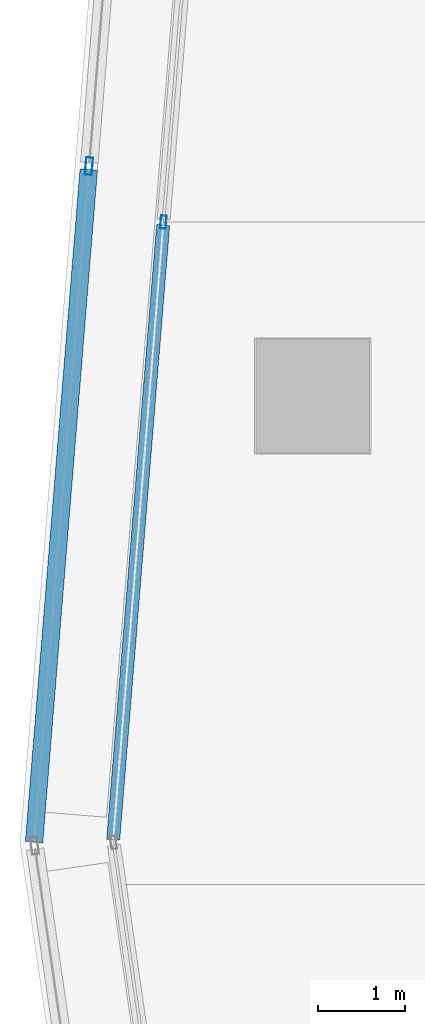
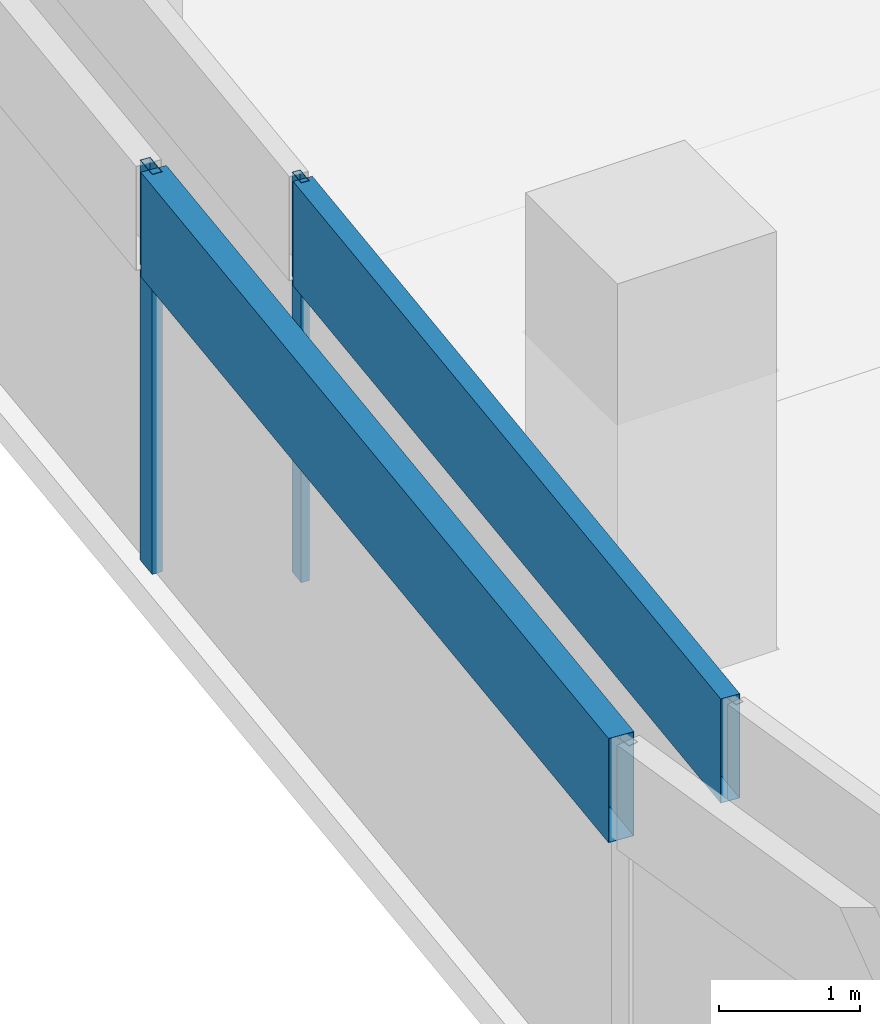
# One storey, part 7 of 30: 4 members, 2 elements without a shape of their own.
"""IFC4 building model written with IfcOpenShell, lengths in metres."""

from ifc_helpers import new_model, si_unit, direction, frame, origin, origin_2d, place, context, subcontext, project, spatial, hollow_rectangle, extrude, material, material_profile, profile_set, type_object, element, aggregate, save


model = new_model("IFC4")

# Units and contexts
model_context = context("Model", 3, precision=1e-05, world=origin(), true_north=direction((0.0, 1.0)))
body_context = subcontext(model_context, "Body", "Model", "MODEL_VIEW")
ifc_project = project(units=[si_unit("LENGTHUNIT", "METRE"), si_unit("AREAUNIT", "SQUARE_METRE"), si_unit("VOLUMEUNIT", "CUBIC_METRE"), si_unit("PLANEANGLEUNIT", "RADIAN"), si_unit("MASSUNIT", "GRAM", prefix="KILO")], contexts=[model_context])

# Site, building, storey
site_placement = place(None, origin())
site = spatial("IfcSite", under=ifc_project, at=site_placement, CompositionType="ELEMENT")
building_placement = place(site_placement, origin())
building = spatial("IfcBuilding", under=site, at=building_placement, Name="Rekha Terrace Tower", CompositionType="ELEMENT")
storey_placement = place(building_placement, frame((0.0, 0.0, 287.60009765625)))
storey = spatial("IfcBuildingStorey", under=building, at=storey_placement, Name="L73", CompositionType="ELEMENT", Elevation=287.60009765625)

# Curtain wall, members
ifc_material_1 = material(Name="Aluminium framing", Category="aluminium")
curtain_wall_type_1 = type_object("IfcCurtainWallType", Name="CW1 double skin inner glazing", PredefinedType="USERDEFINED", material=ifc_material_1)
curtain_wall_1_placement = place(storey_placement, origin())
curtain_wall_1 = element("IfcCurtainWall", 1, at=curtain_wall_1_placement, inside=storey, type_object=curtain_wall_type_1, Name="CW1 double skin inner glazing", ObjectType="DOUBLE SKIN INNER GLAZING", PredefinedType="USERDEFINED")
ifc_material_2 = material(Name="Aluminium mullion section", Category="aluminium")
ifc_material_profile_1 = material_profile(ifc_material_2, hollow_rectangle(XDim=0.06494140625, YDim=0.14990234375, WallThickness=0.00390625, at=origin_2d()), Name="AL RHS 65x150")
ifc_profile_set_1 = profile_set([ifc_material_profile_1], Name="Aluminium mullion section")
member_type_1 = type_object("IfcMemberType", Name="CW1 mullion RHS 65 x 150", PredefinedType="MULLION", material=ifc_profile_set_1)
member_1_placement = place(storey_placement, frame((6.69091796875, 35.58984375, 0.0), z_axis=(0.0, 0.0, 1.0), x_axis=(0.996708580524, -0.081067906781, 0.0)))
member_1 = element("IfcMember", 2, at=member_1_placement, type_object=member_type_1, Name="CW1 mullion 3", PredefinedType="MULLION", context=body_context, shape_type="SweptSolid", body=[
    extrude(hollow_rectangle(XDim=0.06494140625, YDim=0.14990234375, WallThickness=0.00390625, at=origin_2d()), origin(), (0.0, 0.0, 1.0), 3.449951171875),
])
ifc_material_3 = material(Name="Insulated aluminium spandrel box", Category="aluminium")
ifc_material_profile_2 = material_profile(ifc_material_3, hollow_rectangle(XDim=0.14990234375, YDim=0.89990234375, WallThickness=0.0029296875, at=origin_2d()), Name="AL SPANDREL BOX 150x900")
ifc_profile_set_2 = profile_set([ifc_material_profile_2], Name="Insulated aluminium spandrel box")
member_type_2 = type_object("IfcMemberType", Name="CW1 spandrel transom 150 x 900", PredefinedType="USERDEFINED", material=ifc_profile_set_2)
member_2_placement = place(storey_placement, frame((6.688232421875, 35.557373046875, 3.0), z_axis=(-0.081052724461, -0.996709815271, 0.0), x_axis=(0.996709815271, -0.081052724461, 0.0)))
member_2 = element("IfcMember", 3, at=member_2_placement, type_object=member_type_2, Name="CW1 spandrel transom 3", ObjectType="TRANSOM", PredefinedType="USERDEFINED", context=body_context, shape_type="SweptSolid", body=[
    extrude(hollow_rectangle(XDim=0.14990234375, YDim=0.89990234375, WallThickness=0.0029296875, at=origin_2d()), origin(), (0.0, 0.0, 1.0), 7.057373046875),
])
aggregate(curtain_wall_1, [member_1, member_2])

curtain_wall_type_2 = type_object("IfcCurtainWallType", Name="CW2 double skin outer glazing", PredefinedType="USERDEFINED", material=ifc_material_1)
curtain_wall_2_placement = place(storey_placement, origin())
curtain_wall_2 = element("IfcCurtainWall", 4, at=curtain_wall_2_placement, inside=storey, type_object=curtain_wall_type_2, Name="CW2 double skin outer glazing", ObjectType="DOUBLE SKIN OUTER GLAZING", PredefinedType="USERDEFINED")
ifc_material_profile_3 = material_profile(ifc_material_2, hollow_rectangle(XDim=0.080078125, YDim=0.199951171875, WallThickness=0.00390625, at=origin_2d()), Name="AL RHS 80x200")
ifc_profile_set_3 = profile_set([ifc_material_profile_3], Name="Aluminium mullion section")
member_type_3 = type_object("IfcMemberType", Name="CW2 mullion RHS 80 x 200", PredefinedType="MULLION", material=ifc_profile_set_3)
member_3_placement = place(storey_placement, frame((5.840087890625, 36.23046875, 0.0), z_axis=(0.0, 0.0, 1.0), x_axis=(0.996708580521, -0.081067906816, 0.0)))
member_3 = element("IfcMember", 5, at=member_3_placement, type_object=member_type_3, Name="CW2 mullion 3", PredefinedType="MULLION", context=body_context, shape_type="SweptSolid", body=[
    extrude(hollow_rectangle(XDim=0.080078125, YDim=0.199951171875, WallThickness=0.00390625, at=origin_2d()), origin(), (0.0, 0.0, 1.0), 3.449951171875),
])
ifc_material_profile_4 = material_profile(ifc_material_3, hollow_rectangle(XDim=0.199951171875, YDim=0.89990234375, WallThickness=0.0029296875, at=origin_2d()), Name="AL SPANDREL BOX 200x900")
ifc_profile_set_4 = profile_set([ifc_material_profile_4], Name="Insulated aluminium spandrel box")
member_type_4 = type_object("IfcMemberType", Name="CW2 spandrel transom 200 x 900", PredefinedType="USERDEFINED", material=ifc_profile_set_4)
member_4_placement = place(storey_placement, frame((5.8369140625, 36.190673828125, 3.0), z_axis=(-0.08107481866, -0.996708018318, 0.0), x_axis=(0.996708018318, -0.08107481866, 0.0)))
member_4 = element("IfcMember", 6, at=member_4_placement, type_object=member_type_4, Name="CW2 spandrel transom 3", ObjectType="TRANSOM", PredefinedType="USERDEFINED", context=body_context, shape_type="SweptSolid", body=[
    extrude(hollow_rectangle(XDim=0.199951171875, YDim=0.89990234375, WallThickness=0.0029296875, at=origin_2d()), origin(), (0.0, 0.0, 1.0), 7.720947265625),
])
aggregate(curtain_wall_2, [member_3, member_4])

save(model, "model.ifc")
